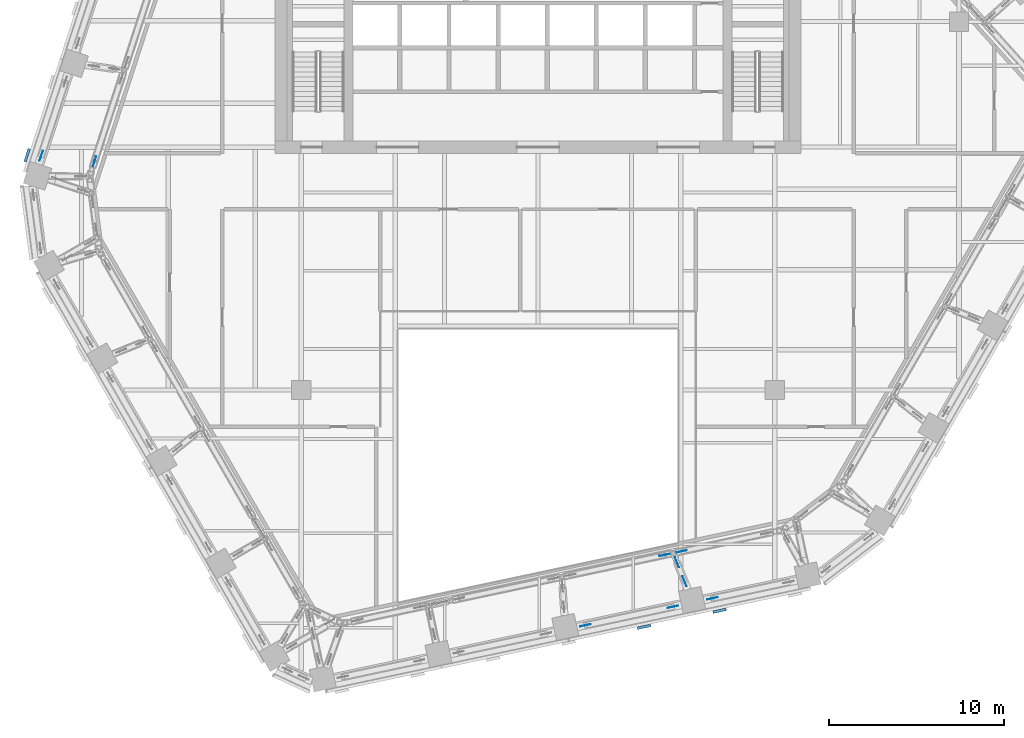
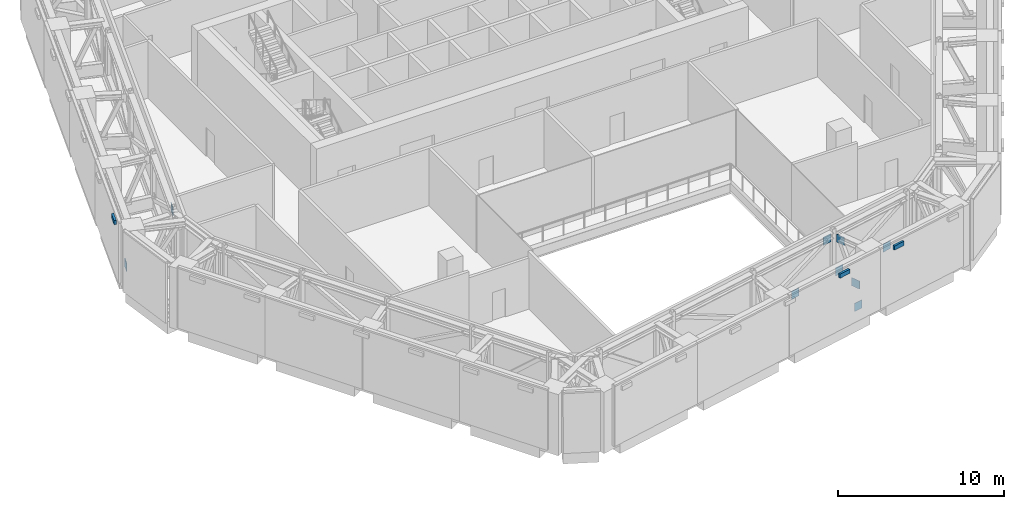
# One storey, part 21 of 26: 12 discrete accessories.
"""IFC4 building model written with IfcOpenShell, lengths in metres."""

from ifc_helpers import new_model, si_unit, direction, frame, origin, origin_2d, place, context, subcontext, project, spatial, rectangle, extrude, material, type_object, element, save


model = new_model("IFC4")

# Units and contexts
model_context = context("Model", 3, precision=1e-05, world=origin(), true_north=direction((0.0, 1.0)))
body_context = subcontext(model_context, "Body", "Model", "MODEL_VIEW")
ifc_project = project(units=[si_unit("LENGTHUNIT", "METRE"), si_unit("AREAUNIT", "SQUARE_METRE"), si_unit("VOLUMEUNIT", "CUBIC_METRE"), si_unit("PLANEANGLEUNIT", "RADIAN"), si_unit("MASSUNIT", "GRAM", prefix="KILO")], contexts=[model_context])

# Site, building, storey
site_placement = place(None, origin())
site = spatial("IfcSite", under=ifc_project, at=site_placement, CompositionType="ELEMENT")
building_placement = place(site_placement, origin())
building = spatial("IfcBuilding", under=site, at=building_placement, Name="Isthmus Gate Tower", CompositionType="ELEMENT")
storey_placement = place(building_placement, frame((0.0, 0.0, 207.300048828125)))
storey = spatial("IfcBuildingStorey", under=building, at=storey_placement, Name="L52", CompositionType="ELEMENT", Elevation=207.300048828125)

# Discrete accessories
ifc_material_1 = material(Name="Structural steel ASTM A572 Gr 50, white paint system", Category="steel")
discrete_accessory_type_1 = type_object("IfcDiscreteAccessoryType", Name="FIN BRACKET 784 X 150 X 300", PredefinedType="BRACKET", material=ifc_material_1)
for number, where, z_axis, x_axis, name in (
    (1, (-29.123291015625, -0.112060546875, 3.94970703125), (0.0, 0.0, 1.0), (-0.951056516295, 0.309016994375, 0.0), "FIN BRACKET"),
    (2, (6.051025390625, -26.994873046875, 3.94970703125), (0.0, 0.0, 1.0), (0.207911690818, -0.978147600734, 0.0), "FIN BRACKET"),
    (3, (10.354736328125, -26.080078125, 3.94970703125), (0.0, 0.0, 1.0), (0.207911690818, -0.978147600734, 0.0), "FIN BRACKET"),
):
    element("IfcDiscreteAccessory", number, at=place(storey_placement, frame(where, z_axis=z_axis, x_axis=x_axis)), inside=storey, type_object=discrete_accessory_type_1, Name=name, PredefinedType="BRACKET", context=body_context, shape_type="SweptSolid", body=[
        extrude(rectangle(XDim=0.14990234375, YDim=0.78369140625, at=origin_2d()), origin(), (0.0, 0.0, 1.0), 0.300048828125),
    ])
ifc_material_2 = material(Name="Structural steel ASTM A992 Gr 50", Category="steel")
discrete_accessory_type_2 = type_object("IfcDiscreteAccessoryType", Name="GUSSET PLATE 600 X 20", PredefinedType="USERDEFINED", material=ifc_material_2)
for number, where, z_axis, x_axis, name in (
    (4, (9.940185546875, -25.3759765625, 3.4365234375), (0.0, 0.0, 1.0), (-0.978147600734, -0.207911690818, 0.0), "GUSSET PLATE"),
    (5, (7.6904296875, -25.854248046875, 0.163330078125), (0.0, 0.0, 1.0), (-0.978147600734, -0.207911690818, 0.0), "GUSSET PLATE"),
    (6, (2.7109375, -26.91259765625, 3.4365234375), (0.0, 0.0, 1.0), (-0.978147600734, -0.207911690818, 0.0), "GUSSET PLATE"),
    (7, (-28.318603515625, -0.143798828125, 0.163330078125), (0.0, 0.0, 1.0), (0.309016994375, 0.951056516295, 0.0), "GUSSET PLATE"),
    (8, (8.354736328125, -24.401611328125, 0.680908203125), (0.0, 0.0, 1.0), (-0.373341598649, 0.927693942375, 0.0), "GUSSET PLATE"),
    (9, (7.918212890625, -23.31689453125, 3.384033203125), (0.0, 0.0, 1.0), (-0.373341598649, 0.927693942375, 0.0), "GUSSET PLATE"),
    (10, (8.19873046875, -22.695068359375, 0.680908203125), (0.0, 0.0, 1.0), (0.978147600734, 0.207911690818, 0.0), "GUSSET PLATE"),
    (11, (7.220703125, -22.90283203125, 3.384033203125), (0.0, 0.0, 1.0), (0.978147600734, 0.207911690818, 0.0), "GUSSET PLATE"),
    (12, (-25.281005859375, -0.452880859375, 3.384033203125), (0.0, 0.0, 1.0), (-0.309016994375, -0.951056516295, 0.0), "GUSSET PLATE"),
):
    element("IfcDiscreteAccessory", number, at=place(storey_placement, frame(where, z_axis=z_axis, x_axis=x_axis)), inside=storey, type_object=discrete_accessory_type_2, Name=name, ObjectType="GUSSET PLATE", PredefinedType="USERDEFINED", context=body_context, shape_type="SweptSolid", body=[
        extrude(rectangle(XDim=0.60009765625, YDim=0.02001953125, at=origin_2d()), origin(), (0.0, 0.0, 1.0), 0.60009765625),
    ])

save(model, "model.ifc")
